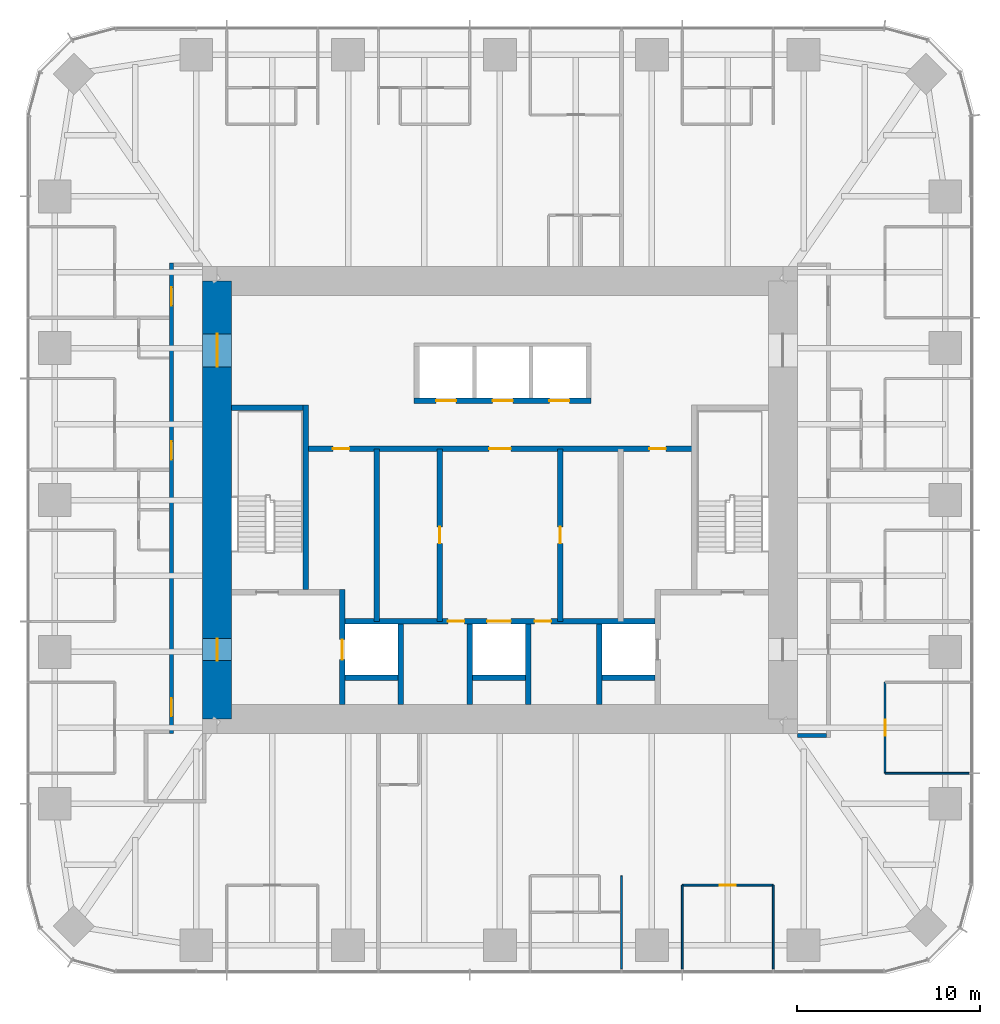
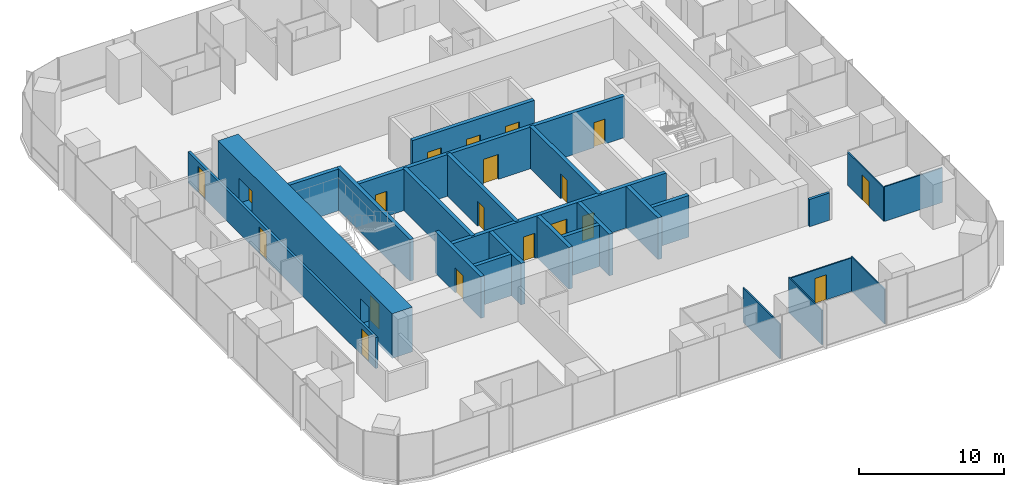
# One storey, part 9 of 12: 25 walls, 19 doors, 19 openings.
"""IFC4 building model written with IfcOpenShell, lengths in metres."""

from ifc_helpers import new_model, si_unit, direction, frame, frame_2d, origin, place, context, subcontext, project, spatial, rectangle, extrude, material, layer, layer_set, type_object, element, fill, save


model = new_model("IFC4")

# Units and contexts
model_context = context("Model", 3, precision=1e-05, world=origin(), true_north=direction((0.0, 1.0)))
body_context = subcontext(model_context, "Body", "Model", "MODEL_VIEW")
ifc_project = project(units=[si_unit("LENGTHUNIT", "METRE"), si_unit("AREAUNIT", "SQUARE_METRE"), si_unit("VOLUMEUNIT", "CUBIC_METRE"), si_unit("PLANEANGLEUNIT", "RADIAN"), si_unit("MASSUNIT", "GRAM", prefix="KILO")], contexts=[model_context])

# Site, building, storey
site_placement = place(None, origin())
site = spatial("IfcSite", under=ifc_project, at=site_placement, CompositionType="ELEMENT")
building_placement = place(site_placement, origin())
building = spatial("IfcBuilding", under=site, at=building_placement, Name="Khuree Lantern Residences", CompositionType="ELEMENT")
storey_placement = place(building_placement, frame((0.0, 0.0, 244.5)))
storey = spatial("IfcBuildingStorey", under=building, at=storey_placement, Name="L61", CompositionType="ELEMENT", Elevation=244.5)

# Wall, opening, door
ifc_material_1 = material(Name="Dense concrete blockwork", Category="masonry")
ifc_layer_1 = layer(ifc_material_1, 0.300048828125)
ifc_layer_set_1 = layer_set([ifc_layer_1], Name="CORE PARTITION WALL CPW300 EI 120")
wall_type_1 = type_object("IfcWallType", Name="CORE PARTITION WALL CPW300 EI 120", PredefinedType="PARTITIONING", material=ifc_layer_set_1)
wall_1_placement = place(storey_placement, frame((-8.64990234375, -11.199951171875, 0.0), z_axis=(0.0, 0.0, 1.0), x_axis=(0.0, 1.0, 0.0)))
wall_1 = element("IfcWall", 1, at=wall_1_placement, inside=storey, type_object=wall_type_1, Name="L61 CORE WALL FL1W", PredefinedType="PARTITIONING", context=body_context, shape_type="SweptSolid", body=[
    extrude(rectangle(XDim=6.300048828125, YDim=0.300048828125, at=frame_2d((3.14990234375, 0.0))), origin(), (0.0, 0.0, 1.0), 3.5),
])
opening_1_placement = place(wall_1_placement, frame((2.449951171875, 0.0, 0.0)))
opening_1 = element("IfcOpeningElement", 2, at=opening_1_placement, cuts=wall_1, Name="Opening 61-007", PredefinedType="OPENING", context=body_context, shape_type="SweptSolid", body=[
    extrude(rectangle(XDim=1.10009765625, YDim=2.10009765625, at=frame_2d((0.550048828125, 1.050048828125))), frame((0.0, 0.16015625, 0.0), z_axis=(0.0, -1.0, 0.0), x_axis=(1.0, 0.0, 0.0)), (0.0, 0.0, 1.0), 0.320068359375),
])
ifc_material_2 = material(Name="Stainless steel lift landing door", Category="steel")
door_type_1 = type_object("IfcDoorType", Name="LIFT LANDING DOOR 1100X2100 E 120", OperationType="DOUBLE_DOOR_SLIDING", PredefinedType="DOOR", material=ifc_material_2)
door_1_placement = place(opening_1_placement, origin())
door_1 = element("IfcDoor", 3, at=door_1_placement, inside=storey, type_object=door_type_1, Name="Landing door FL1 61-007", OperationType="DOUBLE_DOOR_SLIDING", OverallHeight=2.10009765625, OverallWidth=1.10009765625, PredefinedType="DOOR", context=body_context, shape_type="SweptSolid", body=[
    extrude(rectangle(XDim=1.10009765625, YDim=2.10009765625, at=frame_2d((0.550048828125, 1.050048828125))), frame((0.0, 0.02490234375, 0.0), z_axis=(0.0, -1.0, 0.0), x_axis=(1.0, 0.0, 0.0)), (0.0, 0.0, 1.0), 0.050048828125),
])
fill(opening_1, door_1)

# Wall, openings, doors
wall_2_placement = place(storey_placement, frame((-8.5, -6.64990234375, 0.0), z_axis=(0.0, 0.0, 1.0), x_axis=(1.0, 0.0, 0.0)))
wall_2 = element("IfcWall", 4, at=wall_2_placement, inside=storey, type_object=wall_type_1, Name="L61 CORE WALL FLROW", PredefinedType="PARTITIONING", context=body_context, shape_type="SweptSolid", body=[
    extrude(rectangle(XDim=17.0, YDim=0.300048828125, at=frame_2d((8.5, 0.0))), origin(), (0.0, 0.0, 1.0), 3.5),
])
opening_2_placement = place(wall_2_placement, frame((7.800048828125, 0.0, 0.0)))
opening_2 = element("IfcOpeningElement", 5, at=opening_2_placement, cuts=wall_2, Name="Opening 61-012", PredefinedType="OPENING", context=body_context, shape_type="SweptSolid", body=[
    extrude(rectangle(XDim=1.300048828125, YDim=2.39990234375, at=frame_2d((0.64990234375, 1.199951171875))), frame((0.0, 0.16015625, 0.0), z_axis=(0.0, -1.0, 0.0), x_axis=(1.0, 0.0, 0.0)), (0.0, 0.0, 1.0), 0.320068359375),
])
opening_3_placement = place(wall_2_placement, frame((5.64990234375, 0.0, 0.0)))
opening_3 = element("IfcOpeningElement", 6, at=opening_3_placement, cuts=wall_2, Name="Opening 61-014", PredefinedType="OPENING", context=body_context, shape_type="SweptSolid", body=[
    extrude(rectangle(XDim=0.89990234375, YDim=2.10009765625, at=frame_2d((0.449951171875, 1.050048828125))), frame((0.0, 0.16015625, 0.0), z_axis=(0.0, -1.0, 0.0), x_axis=(1.0, 0.0, 0.0)), (0.0, 0.0, 1.0), 0.320068359375),
])
opening_4_placement = place(wall_2_placement, frame((10.39990234375, 0.0, 0.0)))
opening_4 = element("IfcOpeningElement", 7, at=opening_4_placement, cuts=wall_2, Name="Opening 61-015", PredefinedType="OPENING", context=body_context, shape_type="SweptSolid", body=[
    extrude(rectangle(XDim=0.89990234375, YDim=2.10009765625, at=frame_2d((0.449951171875, 1.050048828125))), frame((0.0, 0.16015625, 0.0), z_axis=(0.0, -1.0, 0.0), x_axis=(1.0, 0.0, 0.0)), (0.0, 0.0, 1.0), 0.320068359375),
])
ifc_material_3 = material(Name="Steel door leaf in steel frame", Category="steel")
door_type_2 = type_object("IfcDoorType", Name="DOOR 900X2100 EI 60", OperationType="SINGLE_SWING_LEFT", PredefinedType="DOOR", material=ifc_material_3)
door_2_placement = place(opening_3_placement, origin())
door_2 = element("IfcDoor", 8, at=door_2_placement, inside=storey, type_object=door_type_2, Name="Refuse chute room door 61-014", OperationType="SINGLE_SWING_LEFT", OverallHeight=2.10009765625, OverallWidth=0.89990234375, PredefinedType="DOOR", context=body_context, shape_type="SweptSolid", body=[
    extrude(rectangle(XDim=0.89990234375, YDim=2.10009765625, at=frame_2d((0.449951171875, 1.050048828125))), frame((0.0, 0.02490234375, 0.0), z_axis=(0.0, -1.0, 0.0), x_axis=(1.0, 0.0, 0.0)), (0.0, 0.0, 1.0), 0.050048828125),
])
fill(opening_3, door_2)
door_type_3 = type_object("IfcDoorType", Name="DOOR 900X2100 EI 60 RIGHT HAND", OperationType="SINGLE_SWING_RIGHT", PredefinedType="DOOR", material=ifc_material_3)
door_3_placement = place(opening_4_placement, origin())
door_3 = element("IfcDoor", 9, at=door_3_placement, inside=storey, type_object=door_type_3, Name="Electrical and plumbing riser door 61-015", OperationType="SINGLE_SWING_RIGHT", OverallHeight=2.10009765625, OverallWidth=0.89990234375, PredefinedType="DOOR", context=body_context, shape_type="SweptSolid", body=[
    extrude(rectangle(XDim=0.89990234375, YDim=2.10009765625, at=frame_2d((0.449951171875, 1.050048828125))), frame((0.0, 0.02490234375, 0.0), z_axis=(0.0, -1.0, 0.0), x_axis=(1.0, 0.0, 0.0)), (0.0, 0.0, 1.0), 0.050048828125),
])
fill(opening_4, door_3)
door_type_4 = type_object("IfcDoorType", Name="LIFT LANDING DOOR 1300X2400 E 60", OperationType="DOUBLE_DOOR_SLIDING", PredefinedType="DOOR", material=ifc_material_2)
door_4_placement = place(opening_2_placement, origin())
door_4 = element("IfcDoor", 10, at=door_4_placement, inside=storey, type_object=door_type_4, Name="Landing door SL1 61-012", OperationType="DOUBLE_DOOR_SLIDING", OverallHeight=2.39990234375, OverallWidth=1.300048828125, PredefinedType="DOOR", context=body_context, shape_type="SweptSolid", body=[
    extrude(rectangle(XDim=1.300048828125, YDim=2.39990234375, at=frame_2d((0.64990234375, 1.199951171875))), frame((0.0, 0.02490234375, 0.0), z_axis=(0.0, -1.0, 0.0), x_axis=(1.0, 0.0, 0.0)), (0.0, 0.0, 1.0), 0.050048828125),
])
fill(opening_2, door_4)

# Walls
for number, where, z_axis, x_axis, name in (
    (11, (-5.449951171875, -11.199951171875, 0.0), (0.0, 0.0, 1.0), (0.0, 1.0, 0.0), "L61 CORE WALL FL1E"),
    (12, (-1.64990234375, -11.199951171875, 0.0), (0.0, 0.0, 1.0), (0.0, 1.0, 0.0), "L61 CORE WALL SL1W"),
    (13, (1.550048828125, -11.199951171875, 0.0), (0.0, 0.0, 1.0), (0.0, 1.0, 0.0), "L61 CORE WALL SL1E"),
    (14, (5.449951171875, -11.199951171875, 0.0), (0.0, 0.0, 1.0), (0.0, 1.0, 0.0), "L61 CORE WALL FL2W"),
):
    element("IfcWall", number, at=place(storey_placement, frame(where, z_axis=z_axis, x_axis=x_axis)), inside=storey, type_object=wall_type_1, Name=name, PredefinedType="PARTITIONING", context=body_context, shape_type="SweptSolid", body=[
        extrude(rectangle(XDim=4.39990234375, YDim=0.300048828125, at=frame_2d((2.199951171875, 0.0))), origin(), (0.0, 0.0, 1.0), 3.5),
    ])
for number, where, z_axis, x_axis, name in (
    (15, (-8.5, -9.75, 0.0), (0.0, 0.0, 1.0), (1.0, 0.0, 0.0), "L61 CORE WALL FL1S"),
    (16, (-1.5, -9.75, 0.0), (0.0, 0.0, 1.0), (1.0, 0.0, 0.0), "L61 CORE WALL SL1S"),
    (17, (5.60009765625, -9.75, 0.0), (0.0, 0.0, 1.0), (1.0, 0.0, 0.0), "L61 CORE WALL FL2S"),
):
    element("IfcWall", number, at=place(storey_placement, frame(where, z_axis=z_axis, x_axis=x_axis)), inside=storey, type_object=wall_type_1, Name=name, PredefinedType="PARTITIONING", context=body_context, shape_type="SweptSolid", body=[
        extrude(rectangle(XDim=2.89990234375, YDim=0.300048828125, at=frame_2d((1.449951171875, 0.0))), origin(), (0.0, 0.0, 1.0), 3.5),
    ])

# Wall, openings, doors
wall_3_placement = place(storey_placement, frame((-4.699951171875, 5.449951171875, 0.0), z_axis=(0.0, 0.0, 1.0), x_axis=(1.0, 0.0, 0.0)))
wall_3 = element("IfcWall", 18, at=wall_3_placement, inside=storey, type_object=wall_type_1, Name="L61 CORE WALL PHS", PredefinedType="PARTITIONING", context=body_context, shape_type="SweptSolid", body=[
    extrude(rectangle(XDim=9.699951171875, YDim=0.300048828125, at=frame_2d((4.85009765625, 0.0))), origin(), (0.0, 0.0, 1.0), 3.5),
])
opening_5_placement = place(wall_3_placement, frame((1.199951171875, 0.0, 0.0)))
opening_5 = element("IfcOpeningElement", 19, at=opening_5_placement, cuts=wall_3, Name="Opening 61-009", PredefinedType="OPENING", context=body_context, shape_type="SweptSolid", body=[
    extrude(rectangle(XDim=1.10009765625, YDim=2.10009765625, at=frame_2d((0.550048828125, 1.050048828125))), frame((0.0, 0.16015625, 0.0), z_axis=(0.0, -1.0, 0.0), x_axis=(1.0, 0.0, 0.0)), (0.0, 0.0, 1.0), 0.320068359375),
])
opening_6_placement = place(wall_3_placement, frame((4.300048828125, 0.0, 0.0)))
opening_6 = element("IfcOpeningElement", 20, at=opening_6_placement, cuts=wall_3, Name="Opening 61-010", PredefinedType="OPENING", context=body_context, shape_type="SweptSolid", body=[
    extrude(rectangle(XDim=1.10009765625, YDim=2.10009765625, at=frame_2d((0.550048828125, 1.050048828125))), frame((0.0, 0.16015625, 0.0), z_axis=(0.0, -1.0, 0.0), x_axis=(1.0, 0.0, 0.0)), (0.0, 0.0, 1.0), 0.320068359375),
])
opening_7_placement = place(wall_3_placement, frame((7.39990234375, 0.0, 0.0)))
opening_7 = element("IfcOpeningElement", 21, at=opening_7_placement, cuts=wall_3, Name="Opening 61-011", PredefinedType="OPENING", context=body_context, shape_type="SweptSolid", body=[
    extrude(rectangle(XDim=1.10009765625, YDim=2.10009765625, at=frame_2d((0.550048828125, 1.050048828125))), frame((0.0, 0.16015625, 0.0), z_axis=(0.0, -1.0, 0.0), x_axis=(1.0, 0.0, 0.0)), (0.0, 0.0, 1.0), 0.320068359375),
])
door_type_5 = type_object("IfcDoorType", Name="LIFT LANDING DOOR 1100X2100 E 60", OperationType="DOUBLE_DOOR_SLIDING", PredefinedType="DOOR", material=ifc_material_2)
door_5_placement = place(opening_5_placement, origin())
door_5 = element("IfcDoor", 22, at=door_5_placement, inside=storey, type_object=door_type_5, Name="Landing door PH1 61-009", OperationType="DOUBLE_DOOR_SLIDING", OverallHeight=2.10009765625, OverallWidth=1.10009765625, PredefinedType="DOOR", context=body_context, shape_type="SweptSolid", body=[
    extrude(rectangle(XDim=1.10009765625, YDim=2.10009765625, at=frame_2d((0.550048828125, 1.050048828125))), frame((0.0, 0.02490234375, 0.0), z_axis=(0.0, -1.0, 0.0), x_axis=(1.0, 0.0, 0.0)), (0.0, 0.0, 1.0), 0.050048828125),
])
fill(opening_5, door_5)
door_6_placement = place(opening_6_placement, origin())
door_6 = element("IfcDoor", 23, at=door_6_placement, inside=storey, type_object=door_type_5, Name="Landing door PH2 61-010", OperationType="DOUBLE_DOOR_SLIDING", OverallHeight=2.10009765625, OverallWidth=1.10009765625, PredefinedType="DOOR", context=body_context, shape_type="SweptSolid", body=[
    extrude(rectangle(XDim=1.10009765625, YDim=2.10009765625, at=frame_2d((0.550048828125, 1.050048828125))), frame((0.0, 0.02490234375, 0.0), z_axis=(0.0, -1.0, 0.0), x_axis=(1.0, 0.0, 0.0)), (0.0, 0.0, 1.0), 0.050048828125),
])
fill(opening_6, door_6)
door_7_placement = place(opening_7_placement, origin())
door_7 = element("IfcDoor", 24, at=door_7_placement, inside=storey, type_object=door_type_5, Name="Landing door PH3 61-011", OperationType="DOUBLE_DOOR_SLIDING", OverallHeight=2.10009765625, OverallWidth=1.10009765625, PredefinedType="DOOR", context=body_context, shape_type="SweptSolid", body=[
    extrude(rectangle(XDim=1.10009765625, YDim=2.10009765625, at=frame_2d((0.550048828125, 1.050048828125))), frame((0.0, 0.02490234375, 0.0), z_axis=(0.0, -1.0, 0.0), x_axis=(1.0, 0.0, 0.0)), (0.0, 0.0, 1.0), 0.050048828125),
])
fill(opening_7, door_7)

wall_4_placement = place(storey_placement, frame((-10.64990234375, 2.800048828125, 0.0), z_axis=(0.0, 0.0, 1.0), x_axis=(1.0, 0.0, 0.0)))
wall_4 = element("IfcWall", 25, at=wall_4_placement, inside=storey, type_object=wall_type_1, Name="L61 CORE WALL LLS", PredefinedType="PARTITIONING", context=body_context, shape_type="SweptSolid", body=[
    extrude(rectangle(XDim=21.2998046875, YDim=0.300048828125, at=frame_2d((10.64990234375, 0.0))), origin(), (0.0, 0.0, 1.0), 3.5),
])
opening_8_placement = place(wall_4_placement, frame((10.050048828125, 0.0, 0.0)))
opening_8 = element("IfcOpeningElement", 26, at=opening_8_placement, cuts=wall_4, Name="Opening 61-013", PredefinedType="OPENING", context=body_context, shape_type="SweptSolid", body=[
    extrude(rectangle(XDim=1.199951171875, YDim=2.10009765625, at=frame_2d((0.60009765625, 1.050048828125))), frame((0.0, 0.16015625, 0.0), z_axis=(0.0, -1.0, 0.0), x_axis=(1.0, 0.0, 0.0)), (0.0, 0.0, 1.0), 0.320068359375),
])
opening_9_placement = place(wall_4_placement, frame((1.492919921875, 0.0, 0.0)))
opening_9 = element("IfcOpeningElement", 27, at=opening_9_placement, cuts=wall_4, Name="Opening 61-017", PredefinedType="OPENING", context=body_context, shape_type="SweptSolid", body=[
    extrude(rectangle(XDim=0.89990234375, YDim=2.10009765625, at=frame_2d((0.449951171875, 1.050048828125))), frame((0.0, 0.16015625, 0.0), z_axis=(0.0, -1.0, 0.0), x_axis=(1.0, 0.0, 0.0)), (0.0, 0.0, 1.0), 0.320068359375),
])
opening_10_placement = place(wall_4_placement, frame((18.8359375, 0.0, 0.0)))
opening_10 = element("IfcOpeningElement", 28, at=opening_10_placement, cuts=wall_4, Name="Opening 61-019", PredefinedType="OPENING", context=body_context, shape_type="SweptSolid", body=[
    extrude(rectangle(XDim=0.89990234375, YDim=2.10009765625, at=frame_2d((0.449951171875, 1.050048828125))), frame((0.0, 0.16015625, 0.0), z_axis=(0.0, -1.0, 0.0), x_axis=(1.0, 0.0, 0.0)), (0.0, 0.0, 1.0), 0.320068359375),
])
door_type_6 = type_object("IfcDoorType", Name="DOOR 1200X2100 EI 60", OperationType="SINGLE_SWING_LEFT", PredefinedType="DOOR", material=ifc_material_3)
door_8_placement = place(opening_8_placement, origin())
door_8 = element("IfcDoor", 29, at=door_8_placement, inside=storey, type_object=door_type_6, Name="Service lift lobby door 61-013", OperationType="SINGLE_SWING_LEFT", OverallHeight=2.10009765625, OverallWidth=1.199951171875, PredefinedType="DOOR", context=body_context, shape_type="SweptSolid", body=[
    extrude(rectangle(XDim=1.199951171875, YDim=2.10009765625, at=frame_2d((0.60009765625, 1.050048828125))), frame((0.0, 0.02490234375, 0.0), z_axis=(0.0, -1.0, 0.0), x_axis=(1.0, 0.0, 0.0)), (0.0, 0.0, 1.0), 0.050048828125),
])
fill(opening_8, door_8)
ifc_material_4 = material(Name="Timber door leaf in hardwood frame", Category="wood")
door_type_7 = type_object("IfcDoorType", Name="DOOR 900X2100", OperationType="SINGLE_SWING_LEFT", PredefinedType="DOOR", material=ifc_material_4)
door_9_placement = place(opening_9_placement, origin())
door_9 = element("IfcDoor", 30, at=door_9_placement, inside=storey, type_object=door_type_7, Name="Residents' store door 61-017", OperationType="SINGLE_SWING_LEFT", OverallHeight=2.10009765625, OverallWidth=0.89990234375, PredefinedType="DOOR", context=body_context, shape_type="SweptSolid", body=[
    extrude(rectangle(XDim=0.89990234375, YDim=2.10009765625, at=frame_2d((0.449951171875, 1.050048828125))), frame((0.0, 0.02490234375, 0.0), z_axis=(0.0, -1.0, 0.0), x_axis=(1.0, 0.0, 0.0)), (0.0, 0.0, 1.0), 0.050048828125),
])
fill(opening_9, door_9)
door_type_8 = type_object("IfcDoorType", Name="DOOR 900X2100 RIGHT HAND", OperationType="SINGLE_SWING_RIGHT", PredefinedType="DOOR", material=ifc_material_4)
door_10_placement = place(opening_10_placement, origin())
door_10 = element("IfcDoor", 31, at=door_10_placement, inside=storey, type_object=door_type_8, Name="Residents' store door 61-019", OperationType="SINGLE_SWING_RIGHT", OverallHeight=2.10009765625, OverallWidth=0.89990234375, PredefinedType="DOOR", context=body_context, shape_type="SweptSolid", body=[
    extrude(rectangle(XDim=0.89990234375, YDim=2.10009765625, at=frame_2d((0.449951171875, 1.050048828125))), frame((0.0, 0.02490234375, 0.0), z_axis=(0.0, -1.0, 0.0), x_axis=(1.0, 0.0, 0.0)), (0.0, 0.0, 1.0), 0.050048828125),
])
fill(opening_10, door_10)

# Wall, opening, door
wall_5_placement = place(storey_placement, frame((-3.300048828125, -6.64990234375, 0.0), z_axis=(0.0, 0.0, 1.0), x_axis=(0.0, 1.0, 0.0)))
wall_5 = element("IfcWall", 32, at=wall_5_placement, inside=storey, type_object=wall_type_1, Name="L61 CORE WALL SVW", PredefinedType="PARTITIONING", context=body_context, shape_type="SweptSolid", body=[
    extrude(rectangle(XDim=9.449951171875, YDim=0.300048828125, at=frame_2d((4.72509765625, 0.0))), origin(), (0.0, 0.0, 1.0), 3.5),
])
opening_11_placement = place(wall_5_placement, frame((4.27490234375, 0.0, 0.0)))
opening_11 = element("IfcOpeningElement", 33, at=opening_11_placement, cuts=wall_5, Name="Opening 61-016", PredefinedType="OPENING", context=body_context, shape_type="SweptSolid", body=[
    extrude(rectangle(XDim=0.89990234375, YDim=2.10009765625, at=frame_2d((0.449951171875, 1.050048828125))), frame((0.0, 0.16015625, 0.0), z_axis=(0.0, -1.0, 0.0), x_axis=(1.0, 0.0, 0.0)), (0.0, 0.0, 1.0), 0.320068359375),
])
door_11_placement = place(opening_11_placement, origin())
door_11 = element("IfcDoor", 34, at=door_11_placement, inside=storey, type_object=door_type_7, Name="Residents' store door 61-016", OperationType="SINGLE_SWING_LEFT", OverallHeight=2.10009765625, OverallWidth=0.89990234375, PredefinedType="DOOR", context=body_context, shape_type="SweptSolid", body=[
    extrude(rectangle(XDim=0.89990234375, YDim=2.10009765625, at=frame_2d((0.449951171875, 1.050048828125))), frame((0.0, 0.02490234375, 0.0), z_axis=(0.0, -1.0, 0.0), x_axis=(1.0, 0.0, 0.0)), (0.0, 0.0, 1.0), 0.050048828125),
])
fill(opening_11, door_11)

wall_6_placement = place(storey_placement, frame((3.300048828125, -6.64990234375, 0.0), z_axis=(0.0, 0.0, 1.0), x_axis=(0.0, 1.0, 0.0)))
wall_6 = element("IfcWall", 35, at=wall_6_placement, inside=storey, type_object=wall_type_1, Name="L61 CORE WALL SVE", PredefinedType="PARTITIONING", context=body_context, shape_type="SweptSolid", body=[
    extrude(rectangle(XDim=9.449951171875, YDim=0.300048828125, at=frame_2d((4.72509765625, 0.0))), origin(), (0.0, 0.0, 1.0), 3.5),
])
opening_12_placement = place(wall_6_placement, frame((4.27490234375, 0.0, 0.0)))
opening_12 = element("IfcOpeningElement", 36, at=opening_12_placement, cuts=wall_6, Name="Opening 61-018", PredefinedType="OPENING", context=body_context, shape_type="SweptSolid", body=[
    extrude(rectangle(XDim=0.89990234375, YDim=2.10009765625, at=frame_2d((0.449951171875, 1.050048828125))), frame((0.0, 0.16015625, 0.0), z_axis=(0.0, -1.0, 0.0), x_axis=(1.0, 0.0, 0.0)), (0.0, 0.0, 1.0), 0.320068359375),
])
door_12_placement = place(opening_12_placement, origin())
door_12 = element("IfcDoor", 37, at=door_12_placement, inside=storey, type_object=door_type_7, Name="Residents' store door 61-018", OperationType="SINGLE_SWING_LEFT", OverallHeight=2.10009765625, OverallWidth=0.89990234375, PredefinedType="DOOR", context=body_context, shape_type="SweptSolid", body=[
    extrude(rectangle(XDim=0.89990234375, YDim=2.10009765625, at=frame_2d((0.449951171875, 1.050048828125))), frame((0.0, 0.02490234375, 0.0), z_axis=(0.0, -1.0, 0.0), x_axis=(1.0, 0.0, 0.0)), (0.0, 0.0, 1.0), 0.050048828125),
])
fill(opening_12, door_12)

# Walls
wall_7_placement = place(storey_placement, frame((-6.763916015625, -6.64990234375, 0.0), z_axis=(0.0, 0.0, 1.0), x_axis=(0.0, 1.0, 0.0)))
element("IfcWall", 38, at=wall_7_placement, inside=storey, type_object=wall_type_1, Name="L61 CORE WALL WV", PredefinedType="PARTITIONING", context=body_context, shape_type="SweptSolid", body=[
    extrude(rectangle(XDim=9.449951171875, YDim=0.300048828125, at=frame_2d((4.72509765625, 0.0))), origin(), (0.0, 0.0, 1.0), 3.5),
])
ifc_material_5 = material(Name="Gypsum board on steel studs", Category="steel")
ifc_layer_2 = layer(ifc_material_5, 0.199951171875)
ifc_layer_set_2 = layer_set([ifc_layer_2], Name="CORRIDOR WALL CRW200 EI 60")
wall_type_2 = type_object("IfcWallType", Name="CORRIDOR WALL CRW200 EI 60", PredefinedType="PARTITIONING", material=ifc_layer_set_2)
wall_8_placement = place(storey_placement, frame((16.300048828125, -12.89990234375, 0.0), z_axis=(0.0, 0.0, 1.0), x_axis=(1.0, 0.0, 0.0)))
element("IfcWall", 39, at=wall_8_placement, inside=storey, type_object=wall_type_2, Name="L61 EAST CORRIDOR SOUTH END WALL", PredefinedType="PARTITIONING", context=body_context, shape_type="SweptSolid", body=[
    extrude(rectangle(XDim=1.599853515625, YDim=0.199951171875, at=frame_2d((0.7998046875, 0.0))), origin(), (0.0, 0.0, 1.0), 2.300048828125),
])

# Wall, openings, doors
wall_9_placement = place(storey_placement, frame((-18.0, 13.0, 0.0), z_axis=(0.0, 0.0, 1.0), x_axis=(0.0, -1.0, 0.0)))
wall_9 = element("IfcWall", 40, at=wall_9_placement, inside=storey, type_object=wall_type_2, Name="L61 CORRIDOR WALL WEST 1", PredefinedType="PARTITIONING", context=body_context, shape_type="SweptSolid", body=[
    extrude(rectangle(XDim=25.800048828125, YDim=0.199951171875, at=frame_2d((12.89990234375, 0.0))), origin(), (0.0, 0.0, 1.0), 2.60009765625),
])
opening_13_placement = place(wall_9_placement, frame((1.35009765625, 0.0, 0.0)))
opening_13 = element("IfcOpeningElement", 41, at=opening_13_placement, cuts=wall_9, Name="Opening 61-038", PredefinedType="OPENING", context=body_context, shape_type="SweptSolid", body=[
    extrude(rectangle(XDim=1.0, YDim=2.199951171875, at=frame_2d((0.5, 1.10009765625))), frame((0.0, 0.10986328125, 0.0), z_axis=(0.0, -1.0, 0.0), x_axis=(1.0, 0.0, 0.0)), (0.0, 0.0, 1.0), 0.219970703125),
])
opening_14_placement = place(wall_9_placement, frame((9.785888671875, 0.0, 0.0)))
opening_14 = element("IfcOpeningElement", 42, at=opening_14_placement, cuts=wall_9, Name="Opening 61-041", PredefinedType="OPENING", context=body_context, shape_type="SweptSolid", body=[
    extrude(rectangle(XDim=1.0, YDim=2.199951171875, at=frame_2d((0.5, 1.10009765625))), frame((0.0, 0.10986328125, 0.0), z_axis=(0.0, -1.0, 0.0), x_axis=(1.0, 0.0, 0.0)), (0.0, 0.0, 1.0), 0.219970703125),
])
opening_15_placement = place(wall_9_placement, frame((23.85595703125, 0.0, 0.0)))
opening_15 = element("IfcOpeningElement", 43, at=opening_15_placement, cuts=wall_9, Name="Opening 61-047", PredefinedType="OPENING", context=body_context, shape_type="SweptSolid", body=[
    extrude(rectangle(XDim=1.0, YDim=2.199951171875, at=frame_2d((0.5, 1.10009765625))), frame((0.0, 0.10986328125, 0.0), z_axis=(0.0, -1.0, 0.0), x_axis=(1.0, 0.0, 0.0)), (0.0, 0.0, 1.0), 0.219970703125),
])
door_type_9 = type_object("IfcDoorType", Name="APARTMENT ENTRANCE DOOR 1000X2200 EI 30S", OperationType="SINGLE_SWING_LEFT", PredefinedType="DOOR", material=ifc_material_4)
door_13_placement = place(opening_13_placement, origin())
door_13 = element("IfcDoor", 44, at=door_13_placement, inside=storey, type_object=door_type_9, Name="Apartment 03 entrance door 61-038", OperationType="SINGLE_SWING_LEFT", OverallHeight=2.199951171875, OverallWidth=1.0, PredefinedType="DOOR", context=body_context, shape_type="SweptSolid", body=[
    extrude(rectangle(XDim=1.0, YDim=2.199951171875, at=frame_2d((0.5, 1.10009765625))), frame((0.0, 0.02490234375, 0.0), z_axis=(0.0, -1.0, 0.0), x_axis=(1.0, 0.0, 0.0)), (0.0, 0.0, 1.0), 0.050048828125),
])
fill(opening_13, door_13)
door_14_placement = place(opening_14_placement, origin())
door_14 = element("IfcDoor", 45, at=door_14_placement, inside=storey, type_object=door_type_9, Name="Apartment 04 entrance door 61-041", OperationType="SINGLE_SWING_LEFT", OverallHeight=2.199951171875, OverallWidth=1.0, PredefinedType="DOOR", context=body_context, shape_type="SweptSolid", body=[
    extrude(rectangle(XDim=1.0, YDim=2.199951171875, at=frame_2d((0.5, 1.10009765625))), frame((0.0, 0.02490234375, 0.0), z_axis=(0.0, -1.0, 0.0), x_axis=(1.0, 0.0, 0.0)), (0.0, 0.0, 1.0), 0.050048828125),
])
fill(opening_14, door_14)
door_15_placement = place(opening_15_placement, origin())
door_15 = element("IfcDoor", 46, at=door_15_placement, inside=storey, type_object=door_type_9, Name="Apartment 05 entrance door 61-047", OperationType="SINGLE_SWING_LEFT", OverallHeight=2.199951171875, OverallWidth=1.0, PredefinedType="DOOR", context=body_context, shape_type="SweptSolid", body=[
    extrude(rectangle(XDim=1.0, YDim=2.199951171875, at=frame_2d((0.5, 1.10009765625))), frame((0.0, 0.02490234375, 0.0), z_axis=(0.0, -1.0, 0.0), x_axis=(1.0, 0.0, 0.0)), (0.0, 0.0, 1.0), 0.050048828125),
])
fill(opening_15, door_15)

ifc_material_6 = material(Name="Concrete C50/60", Category="concrete")
ifc_layer_3 = layer(ifc_material_6, 1.60009765625)
ifc_layer_set_3 = layer_set([ifc_layer_3], Name="CW1600-C50 CORE WALL C50 1600")
wall_type_3 = type_object("IfcWallType", Name="CW1600-C50 CORE WALL C50 1600", PredefinedType="SHEAR", material=ifc_layer_set_3)
wall_10_placement = place(storey_placement, frame((-15.5, -12.0, -0.25), z_axis=(0.0, 0.0, 1.0), x_axis=(0.0, 1.0, 0.0)))
wall_10 = element("IfcWall", 47, at=wall_10_placement, inside=storey, type_object=wall_type_3, Name="Core wall W", PredefinedType="SHEAR", context=body_context, shape_type="SweptSolid", body=[
    extrude(rectangle(XDim=24.0, YDim=1.60009765625, at=frame_2d((12.0, 0.0))), origin(), (0.0, 0.0, 1.0), 3.75),
])
opening_16_placement = place(wall_10_placement, frame((3.199951171875, 0.0, 0.25)))
opening_16 = element("IfcOpeningElement", 48, at=opening_16_placement, cuts=wall_10, Name="Opening 61-002", PredefinedType="OPENING", context=body_context, shape_type="SweptSolid", body=[
    extrude(rectangle(XDim=1.199951171875, YDim=2.10009765625, at=frame_2d((0.60009765625, 1.050048828125))), frame((0.0, 0.81005859375, 0.0), z_axis=(0.0, -1.0, 0.0), x_axis=(1.0, 0.0, 0.0)), (0.0, 0.0, 1.0), 1.6201171875),
])
opening_17_placement = place(wall_10_placement, frame((19.300048828125, 0.0, 0.25)))
opening_17 = element("IfcOpeningElement", 49, at=opening_17_placement, cuts=wall_10, Name="Opening 61-003", PredefinedType="OPENING", context=body_context, shape_type="SweptSolid", body=[
    extrude(rectangle(XDim=1.800048828125, YDim=2.10009765625, at=frame_2d((0.89990234375, 1.050048828125))), frame((0.0, 0.81005859375, 0.0), z_axis=(0.0, -1.0, 0.0), x_axis=(1.0, 0.0, 0.0)), (0.0, 0.0, 1.0), 1.6201171875),
])
door_type_10 = type_object("IfcDoorType", Name="LOBBY DOOR 1200X2100 EI 120", OperationType="SINGLE_SWING_LEFT", PredefinedType="DOOR", material=ifc_material_3)
door_16_placement = place(opening_16_placement, origin())
door_16 = element("IfcDoor", 50, at=door_16_placement, inside=storey, type_object=door_type_10, Name="Firefighting lobby door 61-002", OperationType="SINGLE_SWING_LEFT", OverallHeight=2.10009765625, OverallWidth=1.199951171875, PredefinedType="DOOR", context=body_context, shape_type="SweptSolid", body=[
    extrude(rectangle(XDim=1.199951171875, YDim=2.10009765625, at=frame_2d((0.60009765625, 1.050048828125))), frame((0.0, 0.02490234375, 0.0), z_axis=(0.0, -1.0, 0.0), x_axis=(1.0, 0.0, 0.0)), (0.0, 0.0, 1.0), 0.050048828125),
])
fill(opening_16, door_16)
door_type_11 = type_object("IfcDoorType", Name="LOBBY DOUBLE DOOR 1800X2100 EI 60", OperationType="DOUBLE_DOOR_SINGLE_SWING", PredefinedType="DOOR", material=ifc_material_3)
door_17_placement = place(opening_17_placement, origin())
door_17 = element("IfcDoor", 51, at=door_17_placement, inside=storey, type_object=door_type_11, Name="Lift lobby door 61-003", OperationType="DOUBLE_DOOR_SINGLE_SWING", OverallHeight=2.10009765625, OverallWidth=1.800048828125, PredefinedType="DOOR", context=body_context, shape_type="SweptSolid", body=[
    extrude(rectangle(XDim=1.800048828125, YDim=2.10009765625, at=frame_2d((0.89990234375, 1.050048828125))), frame((0.0, 0.02490234375, 0.0), z_axis=(0.0, -1.0, 0.0), x_axis=(1.0, 0.0, 0.0)), (0.0, 0.0, 1.0), 0.050048828125),
])
fill(opening_17, door_17)

# Walls
ifc_layer_4 = layer(ifc_material_5, 0.10009765625)
ifc_layer_set_4 = layer_set([ifc_layer_4], Name="PARTITION PT100")
wall_type_4 = type_object("IfcWallType", Name="PARTITION PT100", PredefinedType="PARTITIONING", material=ifc_layer_set_4)
wall_11_placement = place(storey_placement, frame((6.656005859375, -20.594970703125, 0.0), z_axis=(0.0, 0.0, 1.0), x_axis=(0.0, -1.0, 0.0)))
element("IfcWall", 52, at=wall_11_placement, inside=storey, type_object=wall_type_4, Name="L61 PARTITION 06", PredefinedType="PARTITIONING", context=body_context, shape_type="SweptSolid", body=[
    extrude(rectangle(XDim=5.10498046875, YDim=0.10009765625, at=frame_2d((2.552490234375, 0.0))), origin(), (0.0, 0.0, 1.0), 2.909912109375),
])
for number, where, z_axis, x_axis, name in (
    (53, (9.98388671875, -21.10009765625, 0.0), (0.0, 0.0, 1.0), (0.0, -1.0, 0.0), "L61 PARTITION 06"),
    (54, (14.97607421875, -21.10009765625, 0.0), (0.0, 0.0, 1.0), (0.0, -1.0, 0.0), "L61 PARTITION 06"),
    (55, (21.10009765625, -14.97607421875, 0.0), (0.0, 0.0, 1.0), (1.0, 0.0, 0.0), "L61 PARTITION 06"),
):
    element("IfcWall", number, at=place(storey_placement, frame(where, z_axis=z_axis, x_axis=x_axis)), inside=storey, type_object=wall_type_4, Name=name, PredefinedType="PARTITIONING", context=body_context, shape_type="SweptSolid", body=[
        extrude(rectangle(XDim=4.599853515625, YDim=0.10009765625, at=frame_2d((2.2998046875, 0.0))), origin(), (0.0, 0.0, 1.0), 2.909912109375),
    ])

# Wall, opening, door
wall_12_placement = place(storey_placement, frame((9.98388671875, -21.10009765625, 0.0), z_axis=(0.0, 0.0, 1.0), x_axis=(1.0, 0.0, 0.0)))
wall_12 = element("IfcWall", 56, at=wall_12_placement, inside=storey, type_object=wall_type_4, Name="L61 PARTITION 06", PredefinedType="PARTITIONING", context=body_context, shape_type="SweptSolid", body=[
    extrude(rectangle(XDim=4.9921875, YDim=0.10009765625, at=frame_2d((2.49609375, 0.0))), origin(), (0.0, 0.0, 1.0), 2.81005859375),
])
opening_18_placement = place(wall_12_placement, frame((2.0458984375, 0.0, 0.0)))
opening_18 = element("IfcOpeningElement", 57, at=opening_18_placement, cuts=wall_12, Name="Opening 61-050", PredefinedType="OPENING", context=body_context, shape_type="SweptSolid", body=[
    extrude(rectangle(XDim=0.89990234375, YDim=2.10009765625, at=frame_2d((0.449951171875, 1.050048828125))), frame((0.0, 0.06005859375, 0.0), z_axis=(0.0, -1.0, 0.0), x_axis=(1.0, 0.0, 0.0)), (0.0, 0.0, 1.0), 0.1201171875),
])
door_type_12 = type_object("IfcDoorType", Name="BEDROOM DOOR 900X2100", OperationType="SINGLE_SWING_LEFT", PredefinedType="DOOR", material=ifc_material_4)
door_18_placement = place(opening_18_placement, origin())
door_18 = element("IfcDoor", 58, at=door_18_placement, inside=storey, type_object=door_type_12, Name="Bedroom door 61-050", OperationType="SINGLE_SWING_LEFT", OverallHeight=2.10009765625, OverallWidth=0.89990234375, PredefinedType="DOOR", context=body_context, shape_type="SweptSolid", body=[
    extrude(rectangle(XDim=0.89990234375, YDim=2.10009765625, at=frame_2d((0.449951171875, 1.050048828125))), frame((0.0, 0.02490234375, 0.0), z_axis=(0.0, -1.0, 0.0), x_axis=(1.0, 0.0, 0.0)), (0.0, 0.0, 1.0), 0.050048828125),
])
fill(opening_18, door_18)

wall_13_placement = place(storey_placement, frame((21.10009765625, -14.97607421875, 0.0), z_axis=(0.0, 0.0, 1.0), x_axis=(0.0, 1.0, 0.0)))
wall_13 = element("IfcWall", 59, at=wall_13_placement, inside=storey, type_object=wall_type_4, Name="L61 PARTITION 06", PredefinedType="PARTITIONING", context=body_context, shape_type="SweptSolid", body=[
    extrude(rectangle(XDim=4.9921875, YDim=0.10009765625, at=frame_2d((2.49609375, 0.0))), origin(), (0.0, 0.0, 1.0), 2.81005859375),
])
opening_19_placement = place(wall_13_placement, frame((2.0458984375, 0.0, 0.0)))
opening_19 = element("IfcOpeningElement", 60, at=opening_19_placement, cuts=wall_13, Name="Opening 61-051", PredefinedType="OPENING", context=body_context, shape_type="SweptSolid", body=[
    extrude(rectangle(XDim=0.89990234375, YDim=2.10009765625, at=frame_2d((0.449951171875, 1.050048828125))), frame((0.0, 0.06005859375, 0.0), z_axis=(0.0, -1.0, 0.0), x_axis=(1.0, 0.0, 0.0)), (0.0, 0.0, 1.0), 0.1201171875),
])
door_19_placement = place(opening_19_placement, origin())
door_19 = element("IfcDoor", 61, at=door_19_placement, inside=storey, type_object=door_type_12, Name="Bedroom door 61-051", OperationType="SINGLE_SWING_LEFT", OverallHeight=2.10009765625, OverallWidth=0.89990234375, PredefinedType="DOOR", context=body_context, shape_type="SweptSolid", body=[
    extrude(rectangle(XDim=0.89990234375, YDim=2.10009765625, at=frame_2d((0.449951171875, 1.050048828125))), frame((0.0, 0.02490234375, 0.0), z_axis=(0.0, -1.0, 0.0), x_axis=(1.0, 0.0, 0.0)), (0.0, 0.0, 1.0), 0.050048828125),
])
fill(opening_19, door_19)

# Walls
ifc_layer_5 = layer(ifc_material_6, 0.300048828125)
ifc_layer_set_5 = layer_set([ifc_layer_5], Name="STAIR WALL SRW300 C50/60 REI 240")
wall_type_5 = type_object("IfcWallType", Name="STAIR WALL SRW300 C50/60 REI 240", PredefinedType="SOLIDWALL", material=ifc_layer_set_5)
wall_14_placement = place(storey_placement, frame((-10.64990234375, -4.89990234375, 0.0), z_axis=(0.0, 0.0, 1.0), x_axis=(0.0, 1.0, 0.0)))
element("IfcWall", 62, at=wall_14_placement, inside=storey, type_object=wall_type_5, Name="L61 STAIR WALL ST1E", PredefinedType="SOLIDWALL", context=body_context, shape_type="SweptSolid", body=[
    extrude(rectangle(XDim=10.099853515625, YDim=0.300048828125, at=frame_2d((5.0498046875, 0.0))), origin(), (0.0, 0.0, 1.0), 3.5),
])
wall_15_placement = place(storey_placement, frame((-14.699951171875, 5.050048828125, 0.0), z_axis=(0.0, 0.0, 1.0), x_axis=(1.0, 0.0, 0.0)))
element("IfcWall", 63, at=wall_15_placement, inside=storey, type_object=wall_type_5, Name="L61 STAIR WALL ST1N", PredefinedType="SOLIDWALL", context=body_context, shape_type="SweptSolid", body=[
    extrude(rectangle(XDim=3.89990234375, YDim=0.300048828125, at=frame_2d((1.949951171875, 0.0))), origin(), (0.0, 0.0, 1.0), 3.5),
])

save(model, "model.ifc")
